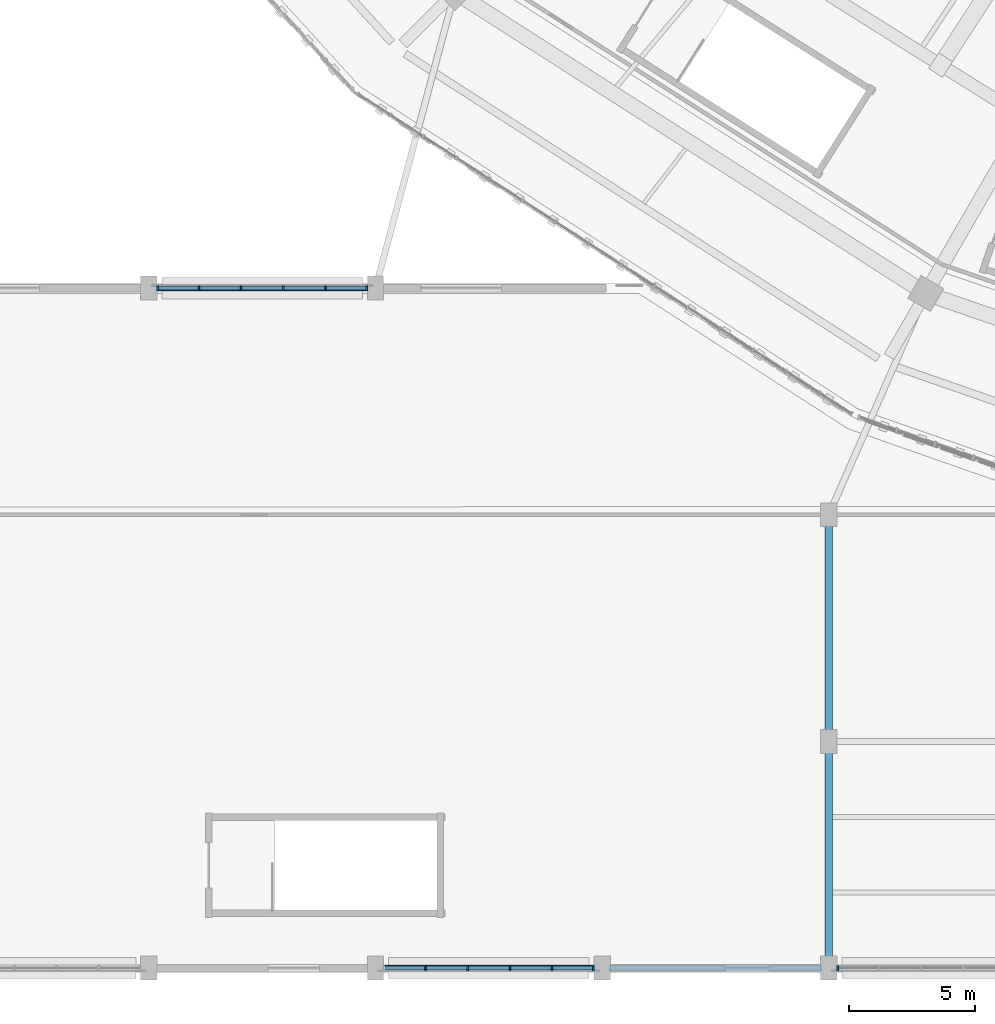
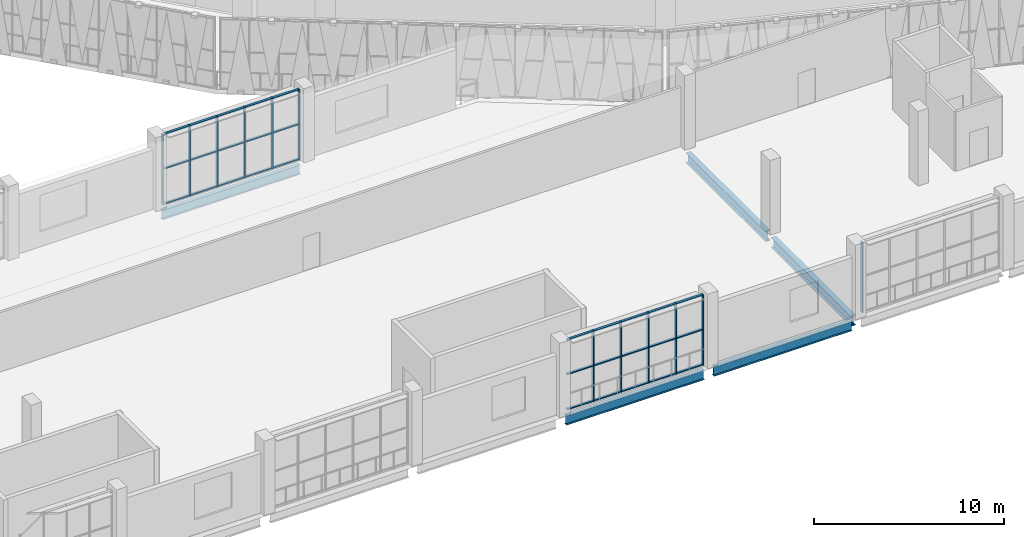
# One storey, part 5 of 152: 42 members, 5 beams, 3 elements without a shape of their own.
"""IFC4 building model written with IfcOpenShell, lengths in metres."""

from ifc_helpers import new_model, si_unit, direction, frame, origin, origin_2d, place, context, subcontext, project, spatial, rectangle, i_section, extrude, material, material_profile, profile_set, type_object, element, aggregate, save


model = new_model("IFC4")

# Units and contexts
model_context = context("Model", 3, precision=1e-05, world=origin(), true_north=direction((0.0, 1.0)))
body_context = subcontext(model_context, "Body", "Model", "MODEL_VIEW")
ifc_project = project(units=[si_unit("LENGTHUNIT", "METRE"), si_unit("AREAUNIT", "SQUARE_METRE"), si_unit("VOLUMEUNIT", "CUBIC_METRE"), si_unit("PLANEANGLEUNIT", "RADIAN"), si_unit("MASSUNIT", "GRAM", prefix="KILO")], contexts=[model_context])

# Site, building, storey
site_placement = place(None, origin())
site = spatial("IfcSite", under=ifc_project, at=site_placement, CompositionType="ELEMENT")
building_placement = place(site_placement, origin())
building = spatial("IfcBuilding", under=site, at=building_placement, Name="Zevraka Park Crest Stadium", CompositionType="ELEMENT")
storey_placement = place(building_placement, frame((0.0, 0.0, 15.0)))
storey = spatial("IfcBuildingStorey", under=building, at=storey_placement, Name="L03", CompositionType="ELEMENT", Elevation=15.0)

# Beams
ifc_material_1 = material(Name="Steel S355", Category="steel")
ifc_material_profile_1 = material_profile(ifc_material_1, i_section(OverallWidth=0.300048828125, OverallDepth=0.64990234375, WebThickness=0.01611328125, FlangeThickness=0.031005859375, at=origin_2d()), Name="HEB 650")
ifc_profile_set_1 = profile_set([ifc_material_profile_1], Name="Steel S355")
beam_type_1 = type_object("IfcBeamType", Name="BG07", PredefinedType="BEAM", material=ifc_profile_set_1)
for number, where, z_axis, x_axis, name in (
    (1, (63.0, 0.300048828125, -0.633056640625), (0.0, 1.0, 0.0), (-1.0, 0.0, 0.0), "Wing Girder BG07 L03-8/AB"),
    (2, (63.0, 9.300048828125, -0.633056640625), (0.0, 1.0, 0.0), (-1.0, 0.0, 0.0), "Wing Girder BG07 L03-8/BC"),
):
    element("IfcBeam", number, at=place(storey_placement, frame(where, z_axis=z_axis, x_axis=x_axis)), inside=storey, type_object=beam_type_1, Name=name, PredefinedType="BEAM", context=body_context, shape_type="SweptSolid", body=[
        extrude(i_section(OverallWidth=0.300048828125, OverallDepth=0.64990234375, WebThickness=0.01611328125, FlangeThickness=0.031005859375, at=origin_2d()), origin(), (0.0, 0.0, 1.0), 8.39990234375),
    ])
ifc_material_2 = material(Name="Steel S355", Category="steel")
ifc_material_profile_2 = material_profile(ifc_material_2, i_section(OverallWidth=0.22900390625, OverallDepth=0.612060546875, WebThickness=0.011962890625, FlangeThickness=0.01953125, at=origin_2d()), Name="UKB 610x229x125")
ifc_profile_set_2 = profile_set([ifc_material_profile_2], Name="Steel S355")
beam_type_2 = type_object("IfcBeamType", Name="BG09", PredefinedType="BEAM", material=ifc_profile_set_2)
for number, where, z_axis, x_axis, name in (
    (3, (36.300048828125, 27.0, -0.614013671875), (1.0, 0.0, 0.0), (0.0, 1.0, 0.0), "Wing Girder BG09 L03-56/D"),
    (4, (45.300048828125, 0.0, -0.614013671875), (1.0, 0.0, 0.0), (0.0, 1.0, 0.0), "Wing Girder BG09 L03-67/A"),
    (5, (54.300048828125, 0.0, -0.614013671875), (1.0, 0.0, 0.0), (0.0, 1.0, 0.0), "Wing Girder BG09 L03-78/A"),
):
    element("IfcBeam", number, at=place(storey_placement, frame(where, z_axis=z_axis, x_axis=x_axis)), inside=storey, type_object=beam_type_2, Name=name, PredefinedType="BEAM", context=body_context, shape_type="SweptSolid", body=[
        extrude(i_section(OverallWidth=0.22900390625, OverallDepth=0.612060546875, WebThickness=0.011962890625, FlangeThickness=0.01953125, at=origin_2d()), origin(), (0.0, 0.0, 1.0), 8.39990234375),
    ])

# Curtain wall, member
ifc_material_3 = material(Name="Anodised architectural aluminium and laminated safety glass", Category="aluminium")
curtain_wall_type_1 = type_object("IfcCurtainWallType", Name="CW30", PredefinedType="NOTDEFINED", material=ifc_material_3)
curtain_wall_1_placement = place(storey_placement, origin())
curtain_wall_1 = element("IfcCurtainWall", 6, at=curtain_wall_1_placement, inside=storey, type_object=curtain_wall_type_1, Name="Wing Curtain Wall CW30 L03-SW-S3-2", PredefinedType="NOTDEFINED")
ifc_material_4 = material(Name="Anodised architectural aluminium", Category="aluminium")
ifc_material_profile_3 = material_profile(ifc_material_4, rectangle(XDim=0.199951171875, YDim=0.070068359375, at=origin_2d()), Name="ALU MULLION 200x70")
ifc_profile_set_3 = profile_set([ifc_material_profile_3], Name="Anodised architectural aluminium")
member_type_1 = type_object("IfcMemberType", Name="CM03", PredefinedType="MULLION", material=ifc_profile_set_3)
member_1_placement = place(storey_placement, frame((63.35009765625, 0.0, 0.0), z_axis=(0.0, 0.0, 1.0), x_axis=(0.0, -1.0, 0.0)))
member_1 = element("IfcMember", 7, at=member_1_placement, type_object=member_type_1, Name="CW30 mullion 6", PredefinedType="MULLION", context=body_context, shape_type="SweptSolid", body=[
    extrude(rectangle(XDim=0.199951171875, YDim=0.070068359375, at=origin_2d()), origin(), (0.0, 0.0, 1.0), 4.5400390625),
])
aggregate(curtain_wall_1, [member_1])

# Curtain wall, members
ifc_material_5 = material(Name="Anodised architectural aluminium and laminated safety glass", Category="aluminium")
curtain_wall_type_2 = type_object("IfcCurtainWallType", Name="CW27", PredefinedType="NOTDEFINED", material=ifc_material_5)
curtain_wall_2_placement = place(storey_placement, origin())
curtain_wall_2 = element("IfcCurtainWall", 8, at=curtain_wall_2_placement, inside=storey, type_object=curtain_wall_type_2, Name="Wing Curtain Wall CW27 L03-SW-S3-4", PredefinedType="NOTDEFINED")
member_2_placement = place(storey_placement, frame((53.64990234375, 0.0, 0.0), z_axis=(0.0, 0.0, 1.0), x_axis=(0.0, -1.0, 0.0)))
member_2 = element("IfcMember", 9, at=member_2_placement, type_object=member_type_1, Name="CW27 mullion 1", PredefinedType="MULLION", context=body_context, shape_type="SweptSolid", body=[
    extrude(rectangle(XDim=0.199951171875, YDim=0.070068359375, at=origin_2d()), origin(), (0.0, 0.0, 1.0), 4.5400390625),
])
member_3_placement = place(storey_placement, frame((52.010986328125, 0.0, 0.0), z_axis=(0.0, 0.0, 1.0), x_axis=(0.0, -1.0, 0.0)))
member_3 = element("IfcMember", 10, at=member_3_placement, type_object=member_type_1, Name="CW27 mullion 2", PredefinedType="MULLION", context=body_context, shape_type="SweptSolid", body=[
    extrude(rectangle(XDim=0.199951171875, YDim=0.070068359375, at=origin_2d()), origin(), (0.0, 0.0, 1.0), 4.5400390625),
])
member_4_placement = place(storey_placement, frame((50.3369140625, 0.0, 0.0), z_axis=(0.0, 0.0, 1.0), x_axis=(0.0, -1.0, 0.0)))
member_4 = element("IfcMember", 11, at=member_4_placement, type_object=member_type_1, Name="CW27 mullion 3", PredefinedType="MULLION", context=body_context, shape_type="SweptSolid", body=[
    extrude(rectangle(XDim=0.199951171875, YDim=0.070068359375, at=origin_2d()), origin(), (0.0, 0.0, 1.0), 4.5400390625),
])
member_5_placement = place(storey_placement, frame((48.6630859375, 0.0, 0.0), z_axis=(0.0, 0.0, 1.0), x_axis=(0.0, -1.0, 0.0)))
member_5 = element("IfcMember", 12, at=member_5_placement, type_object=member_type_1, Name="CW27 mullion 4", PredefinedType="MULLION", context=body_context, shape_type="SweptSolid", body=[
    extrude(rectangle(XDim=0.199951171875, YDim=0.070068359375, at=origin_2d()), origin(), (0.0, 0.0, 1.0), 4.5400390625),
])
member_6_placement = place(storey_placement, frame((46.989013671875, 0.0, 0.0), z_axis=(0.0, 0.0, 1.0), x_axis=(0.0, -1.0, 0.0)))
member_6 = element("IfcMember", 13, at=member_6_placement, type_object=member_type_1, Name="CW27 mullion 5", PredefinedType="MULLION", context=body_context, shape_type="SweptSolid", body=[
    extrude(rectangle(XDim=0.199951171875, YDim=0.070068359375, at=origin_2d()), origin(), (0.0, 0.0, 1.0), 4.5400390625),
])

curtain_wall_3_placement = place(storey_placement, origin())
curtain_wall_3 = element("IfcCurtainWall", 14, at=curtain_wall_3_placement, inside=storey, type_object=curtain_wall_type_2, Name="Wing Curtain Wall CW27 L03-SW-N-4", PredefinedType="NOTDEFINED")
member_7_placement = place(storey_placement, frame((36.35009765625, 27.0, 0.0), z_axis=(0.0, 0.0, 1.0), x_axis=(0.0, 1.0, 0.0)))
member_7 = element("IfcMember", 15, at=member_7_placement, type_object=member_type_1, Name="CW27 mullion 1", PredefinedType="MULLION", context=body_context, shape_type="SweptSolid", body=[
    extrude(rectangle(XDim=0.199951171875, YDim=0.070068359375, at=origin_2d()), origin(), (0.0, 0.0, 1.0), 4.5400390625),
])
member_8_placement = place(storey_placement, frame((37.989013671875, 27.0, 0.0), z_axis=(0.0, 0.0, 1.0), x_axis=(0.0, 1.0, 0.0)))
member_8 = element("IfcMember", 16, at=member_8_placement, type_object=member_type_1, Name="CW27 mullion 2", PredefinedType="MULLION", context=body_context, shape_type="SweptSolid", body=[
    extrude(rectangle(XDim=0.199951171875, YDim=0.070068359375, at=origin_2d()), origin(), (0.0, 0.0, 1.0), 4.5400390625),
])
member_9_placement = place(storey_placement, frame((39.6630859375, 27.0, 0.0), z_axis=(0.0, 0.0, 1.0), x_axis=(0.0, 1.0, 0.0)))
member_9 = element("IfcMember", 17, at=member_9_placement, type_object=member_type_1, Name="CW27 mullion 3", PredefinedType="MULLION", context=body_context, shape_type="SweptSolid", body=[
    extrude(rectangle(XDim=0.199951171875, YDim=0.070068359375, at=origin_2d()), origin(), (0.0, 0.0, 1.0), 4.5400390625),
])
member_10_placement = place(storey_placement, frame((41.3369140625, 27.0, 0.0), z_axis=(0.0, 0.0, 1.0), x_axis=(0.0, 1.0, 0.0)))
member_10 = element("IfcMember", 18, at=member_10_placement, type_object=member_type_1, Name="CW27 mullion 4", PredefinedType="MULLION", context=body_context, shape_type="SweptSolid", body=[
    extrude(rectangle(XDim=0.199951171875, YDim=0.070068359375, at=origin_2d()), origin(), (0.0, 0.0, 1.0), 4.5400390625),
])
member_11_placement = place(storey_placement, frame((43.010986328125, 27.0, 0.0), z_axis=(0.0, 0.0, 1.0), x_axis=(0.0, 1.0, 0.0)))
member_11 = element("IfcMember", 19, at=member_11_placement, type_object=member_type_1, Name="CW27 mullion 5", PredefinedType="MULLION", context=body_context, shape_type="SweptSolid", body=[
    extrude(rectangle(XDim=0.199951171875, YDim=0.070068359375, at=origin_2d()), origin(), (0.0, 0.0, 1.0), 4.5400390625),
])
member_12_placement = place(storey_placement, frame((44.64990234375, 27.0, 0.0), z_axis=(0.0, 0.0, 1.0), x_axis=(0.0, 1.0, 0.0)))
member_12 = element("IfcMember", 20, at=member_12_placement, type_object=member_type_1, Name="CW27 mullion 6", PredefinedType="MULLION", context=body_context, shape_type="SweptSolid", body=[
    extrude(rectangle(XDim=0.199951171875, YDim=0.070068359375, at=origin_2d()), origin(), (0.0, 0.0, 1.0), 4.5400390625),
])

# Member
ifc_material_6 = material(Name="Anodised architectural aluminium", Category="aluminium")
ifc_material_profile_4 = material_profile(ifc_material_6, rectangle(XDim=0.14990234375, YDim=0.070068359375, at=origin_2d()), Name="ALU TRANSOM 150x70")
ifc_profile_set_4 = profile_set([ifc_material_profile_4], Name="Anodised architectural aluminium")
member_type_2 = type_object("IfcMemberType", Name="CT03", PredefinedType="USERDEFINED", material=ifc_profile_set_4)
member_13_placement = place(storey_placement, frame((53.614990234375, 0.0, 0.034912109375), z_axis=(-1.0, 0.0, 0.0), x_axis=(0.0, -1.0, 0.0)))
member_13 = element("IfcMember", 21, at=member_13_placement, type_object=member_type_2, Name="CW27 transom 1.1", ObjectType="TRANSOM", PredefinedType="USERDEFINED", context=body_context, shape_type="SweptSolid", body=[
    extrude(rectangle(XDim=0.14990234375, YDim=0.070068359375, at=origin_2d()), origin(), (0.0, 0.0, 1.0), 1.569091796875),
])

member_14_placement = place(storey_placement, frame((53.614990234375, 0.0, 2.300048828125), z_axis=(-1.0, 0.0, 0.0), x_axis=(0.0, -1.0, 0.0)))
member_14 = element("IfcMember", 22, at=member_14_placement, type_object=member_type_2, Name="CW27 transom 1.2", ObjectType="TRANSOM", PredefinedType="USERDEFINED", context=body_context, shape_type="SweptSolid", body=[
    extrude(rectangle(XDim=0.14990234375, YDim=0.070068359375, at=origin_2d()), origin(), (0.0, 0.0, 1.0), 1.569091796875),
])

member_15_placement = place(storey_placement, frame((53.614990234375, 0.0, 4.5048828125), z_axis=(-1.0, 0.0, 0.0), x_axis=(0.0, -1.0, 0.0)))
member_15 = element("IfcMember", 23, at=member_15_placement, type_object=member_type_2, Name="CW27 transom 1.3", ObjectType="TRANSOM", PredefinedType="USERDEFINED", context=body_context, shape_type="SweptSolid", body=[
    extrude(rectangle(XDim=0.14990234375, YDim=0.070068359375, at=origin_2d()), origin(), (0.0, 0.0, 1.0), 1.569091796875),
])

member_16_placement = place(storey_placement, frame((51.97607421875, 0.0, 0.034912109375), z_axis=(-1.0, 0.0, 0.0), x_axis=(0.0, -1.0, 0.0)))
member_16 = element("IfcMember", 24, at=member_16_placement, type_object=member_type_2, Name="CW27 transom 2.1", ObjectType="TRANSOM", PredefinedType="USERDEFINED", context=body_context, shape_type="SweptSolid", body=[
    extrude(rectangle(XDim=0.14990234375, YDim=0.070068359375, at=origin_2d()), origin(), (0.0, 0.0, 1.0), 1.60400390625),
])

member_17_placement = place(storey_placement, frame((51.97607421875, 0.0, 2.300048828125), z_axis=(-1.0, 0.0, 0.0), x_axis=(0.0, -1.0, 0.0)))
member_17 = element("IfcMember", 25, at=member_17_placement, type_object=member_type_2, Name="CW27 transom 2.2", ObjectType="TRANSOM", PredefinedType="USERDEFINED", context=body_context, shape_type="SweptSolid", body=[
    extrude(rectangle(XDim=0.14990234375, YDim=0.070068359375, at=origin_2d()), origin(), (0.0, 0.0, 1.0), 1.60400390625),
])

member_18_placement = place(storey_placement, frame((51.97607421875, 0.0, 4.5048828125), z_axis=(-1.0, 0.0, 0.0), x_axis=(0.0, -1.0, 0.0)))
member_18 = element("IfcMember", 26, at=member_18_placement, type_object=member_type_2, Name="CW27 transom 2.3", ObjectType="TRANSOM", PredefinedType="USERDEFINED", context=body_context, shape_type="SweptSolid", body=[
    extrude(rectangle(XDim=0.14990234375, YDim=0.070068359375, at=origin_2d()), origin(), (0.0, 0.0, 1.0), 1.60400390625),
])

member_19_placement = place(storey_placement, frame((50.302001953125, 0.0, 0.034912109375), z_axis=(-1.0, 0.0, 0.0), x_axis=(0.0, -1.0, 0.0)))
member_19 = element("IfcMember", 27, at=member_19_placement, type_object=member_type_2, Name="CW27 transom 3.1", ObjectType="TRANSOM", PredefinedType="USERDEFINED", context=body_context, shape_type="SweptSolid", body=[
    extrude(rectangle(XDim=0.14990234375, YDim=0.070068359375, at=origin_2d()), origin(), (0.0, 0.0, 1.0), 1.60400390625),
])

member_20_placement = place(storey_placement, frame((50.302001953125, 0.0, 2.300048828125), z_axis=(-1.0, 0.0, 0.0), x_axis=(0.0, -1.0, 0.0)))
member_20 = element("IfcMember", 28, at=member_20_placement, type_object=member_type_2, Name="CW27 transom 3.2", ObjectType="TRANSOM", PredefinedType="USERDEFINED", context=body_context, shape_type="SweptSolid", body=[
    extrude(rectangle(XDim=0.14990234375, YDim=0.070068359375, at=origin_2d()), origin(), (0.0, 0.0, 1.0), 1.60400390625),
])

member_21_placement = place(storey_placement, frame((50.302001953125, 0.0, 4.5048828125), z_axis=(-1.0, 0.0, 0.0), x_axis=(0.0, -1.0, 0.0)))
member_21 = element("IfcMember", 29, at=member_21_placement, type_object=member_type_2, Name="CW27 transom 3.3", ObjectType="TRANSOM", PredefinedType="USERDEFINED", context=body_context, shape_type="SweptSolid", body=[
    extrude(rectangle(XDim=0.14990234375, YDim=0.070068359375, at=origin_2d()), origin(), (0.0, 0.0, 1.0), 1.60400390625),
])

member_22_placement = place(storey_placement, frame((48.6279296875, 0.0, 0.034912109375), z_axis=(-1.0, 0.0, 0.0), x_axis=(0.0, -1.0, 0.0)))
member_22 = element("IfcMember", 30, at=member_22_placement, type_object=member_type_2, Name="CW27 transom 4.1", ObjectType="TRANSOM", PredefinedType="USERDEFINED", context=body_context, shape_type="SweptSolid", body=[
    extrude(rectangle(XDim=0.14990234375, YDim=0.070068359375, at=origin_2d()), origin(), (0.0, 0.0, 1.0), 1.60400390625),
])

member_23_placement = place(storey_placement, frame((48.6279296875, 0.0, 2.300048828125), z_axis=(-1.0, 0.0, 0.0), x_axis=(0.0, -1.0, 0.0)))
member_23 = element("IfcMember", 31, at=member_23_placement, type_object=member_type_2, Name="CW27 transom 4.2", ObjectType="TRANSOM", PredefinedType="USERDEFINED", context=body_context, shape_type="SweptSolid", body=[
    extrude(rectangle(XDim=0.14990234375, YDim=0.070068359375, at=origin_2d()), origin(), (0.0, 0.0, 1.0), 1.60400390625),
])

member_24_placement = place(storey_placement, frame((48.6279296875, 0.0, 4.5048828125), z_axis=(-1.0, 0.0, 0.0), x_axis=(0.0, -1.0, 0.0)))
member_24 = element("IfcMember", 32, at=member_24_placement, type_object=member_type_2, Name="CW27 transom 4.3", ObjectType="TRANSOM", PredefinedType="USERDEFINED", context=body_context, shape_type="SweptSolid", body=[
    extrude(rectangle(XDim=0.14990234375, YDim=0.070068359375, at=origin_2d()), origin(), (0.0, 0.0, 1.0), 1.60400390625),
])

member_25_placement = place(storey_placement, frame((46.9541015625, 0.0, 0.034912109375), z_axis=(-1.0, 0.0, 0.0), x_axis=(0.0, -1.0, 0.0)))
member_25 = element("IfcMember", 33, at=member_25_placement, type_object=member_type_2, Name="CW27 transom 5.1", ObjectType="TRANSOM", PredefinedType="USERDEFINED", context=body_context, shape_type="SweptSolid", body=[
    extrude(rectangle(XDim=0.14990234375, YDim=0.070068359375, at=origin_2d()), origin(), (0.0, 0.0, 1.0), 1.569091796875),
])

member_26_placement = place(storey_placement, frame((46.9541015625, 0.0, 2.300048828125), z_axis=(-1.0, 0.0, 0.0), x_axis=(0.0, -1.0, 0.0)))
member_26 = element("IfcMember", 34, at=member_26_placement, type_object=member_type_2, Name="CW27 transom 5.2", ObjectType="TRANSOM", PredefinedType="USERDEFINED", context=body_context, shape_type="SweptSolid", body=[
    extrude(rectangle(XDim=0.14990234375, YDim=0.070068359375, at=origin_2d()), origin(), (0.0, 0.0, 1.0), 1.569091796875),
])

member_27_placement = place(storey_placement, frame((46.9541015625, 0.0, 4.5048828125), z_axis=(-1.0, 0.0, 0.0), x_axis=(0.0, -1.0, 0.0)))
member_27 = element("IfcMember", 35, at=member_27_placement, type_object=member_type_2, Name="CW27 transom 5.3", ObjectType="TRANSOM", PredefinedType="USERDEFINED", context=body_context, shape_type="SweptSolid", body=[
    extrude(rectangle(XDim=0.14990234375, YDim=0.070068359375, at=origin_2d()), origin(), (0.0, 0.0, 1.0), 1.569091796875),
])

aggregate(curtain_wall_2, [member_2, member_3, member_4, member_5, member_6, member_13, member_14, member_15, member_16, member_17, member_18, member_19, member_20, member_21, member_22, member_23, member_24, member_25, member_26, member_27])

member_28_placement = place(storey_placement, frame((36.385009765625, 27.0, 0.034912109375), z_axis=(1.0, 0.0, 0.0), x_axis=(0.0, 1.0, 0.0)))
member_28 = element("IfcMember", 36, at=member_28_placement, type_object=member_type_2, Name="CW27 transom 1.1", ObjectType="TRANSOM", PredefinedType="USERDEFINED", context=body_context, shape_type="SweptSolid", body=[
    extrude(rectangle(XDim=0.14990234375, YDim=0.070068359375, at=origin_2d()), origin(), (0.0, 0.0, 1.0), 1.569091796875),
])

member_29_placement = place(storey_placement, frame((36.385009765625, 27.0, 2.300048828125), z_axis=(1.0, 0.0, 0.0), x_axis=(0.0, 1.0, 0.0)))
member_29 = element("IfcMember", 37, at=member_29_placement, type_object=member_type_2, Name="CW27 transom 1.2", ObjectType="TRANSOM", PredefinedType="USERDEFINED", context=body_context, shape_type="SweptSolid", body=[
    extrude(rectangle(XDim=0.14990234375, YDim=0.070068359375, at=origin_2d()), origin(), (0.0, 0.0, 1.0), 1.569091796875),
])

member_30_placement = place(storey_placement, frame((36.385009765625, 27.0, 4.5048828125), z_axis=(1.0, 0.0, 0.0), x_axis=(0.0, 1.0, 0.0)))
member_30 = element("IfcMember", 38, at=member_30_placement, type_object=member_type_2, Name="CW27 transom 1.3", ObjectType="TRANSOM", PredefinedType="USERDEFINED", context=body_context, shape_type="SweptSolid", body=[
    extrude(rectangle(XDim=0.14990234375, YDim=0.070068359375, at=origin_2d()), origin(), (0.0, 0.0, 1.0), 1.569091796875),
])

member_31_placement = place(storey_placement, frame((38.02392578125, 27.0, 0.034912109375), z_axis=(1.0, 0.0, 0.0), x_axis=(0.0, 1.0, 0.0)))
member_31 = element("IfcMember", 39, at=member_31_placement, type_object=member_type_2, Name="CW27 transom 2.1", ObjectType="TRANSOM", PredefinedType="USERDEFINED", context=body_context, shape_type="SweptSolid", body=[
    extrude(rectangle(XDim=0.14990234375, YDim=0.070068359375, at=origin_2d()), origin(), (0.0, 0.0, 1.0), 1.60400390625),
])

member_32_placement = place(storey_placement, frame((38.02392578125, 27.0, 2.300048828125), z_axis=(1.0, 0.0, 0.0), x_axis=(0.0, 1.0, 0.0)))
member_32 = element("IfcMember", 40, at=member_32_placement, type_object=member_type_2, Name="CW27 transom 2.2", ObjectType="TRANSOM", PredefinedType="USERDEFINED", context=body_context, shape_type="SweptSolid", body=[
    extrude(rectangle(XDim=0.14990234375, YDim=0.070068359375, at=origin_2d()), origin(), (0.0, 0.0, 1.0), 1.60400390625),
])

member_33_placement = place(storey_placement, frame((38.02392578125, 27.0, 4.5048828125), z_axis=(1.0, 0.0, 0.0), x_axis=(0.0, 1.0, 0.0)))
member_33 = element("IfcMember", 41, at=member_33_placement, type_object=member_type_2, Name="CW27 transom 2.3", ObjectType="TRANSOM", PredefinedType="USERDEFINED", context=body_context, shape_type="SweptSolid", body=[
    extrude(rectangle(XDim=0.14990234375, YDim=0.070068359375, at=origin_2d()), origin(), (0.0, 0.0, 1.0), 1.60400390625),
])

member_34_placement = place(storey_placement, frame((39.697998046875, 27.0, 0.034912109375), z_axis=(1.0, 0.0, 0.0), x_axis=(0.0, 1.0, 0.0)))
member_34 = element("IfcMember", 42, at=member_34_placement, type_object=member_type_2, Name="CW27 transom 3.1", ObjectType="TRANSOM", PredefinedType="USERDEFINED", context=body_context, shape_type="SweptSolid", body=[
    extrude(rectangle(XDim=0.14990234375, YDim=0.070068359375, at=origin_2d()), origin(), (0.0, 0.0, 1.0), 1.60400390625),
])

member_35_placement = place(storey_placement, frame((39.697998046875, 27.0, 2.300048828125), z_axis=(1.0, 0.0, 0.0), x_axis=(0.0, 1.0, 0.0)))
member_35 = element("IfcMember", 43, at=member_35_placement, type_object=member_type_2, Name="CW27 transom 3.2", ObjectType="TRANSOM", PredefinedType="USERDEFINED", context=body_context, shape_type="SweptSolid", body=[
    extrude(rectangle(XDim=0.14990234375, YDim=0.070068359375, at=origin_2d()), origin(), (0.0, 0.0, 1.0), 1.60400390625),
])

member_36_placement = place(storey_placement, frame((39.697998046875, 27.0, 4.5048828125), z_axis=(1.0, 0.0, 0.0), x_axis=(0.0, 1.0, 0.0)))
member_36 = element("IfcMember", 44, at=member_36_placement, type_object=member_type_2, Name="CW27 transom 3.3", ObjectType="TRANSOM", PredefinedType="USERDEFINED", context=body_context, shape_type="SweptSolid", body=[
    extrude(rectangle(XDim=0.14990234375, YDim=0.070068359375, at=origin_2d()), origin(), (0.0, 0.0, 1.0), 1.60400390625),
])

member_37_placement = place(storey_placement, frame((41.3720703125, 27.0, 0.034912109375), z_axis=(1.0, 0.0, 0.0), x_axis=(0.0, 1.0, 0.0)))
member_37 = element("IfcMember", 45, at=member_37_placement, type_object=member_type_2, Name="CW27 transom 4.1", ObjectType="TRANSOM", PredefinedType="USERDEFINED", context=body_context, shape_type="SweptSolid", body=[
    extrude(rectangle(XDim=0.14990234375, YDim=0.070068359375, at=origin_2d()), origin(), (0.0, 0.0, 1.0), 1.60400390625),
])

member_38_placement = place(storey_placement, frame((41.3720703125, 27.0, 2.300048828125), z_axis=(1.0, 0.0, 0.0), x_axis=(0.0, 1.0, 0.0)))
member_38 = element("IfcMember", 46, at=member_38_placement, type_object=member_type_2, Name="CW27 transom 4.2", ObjectType="TRANSOM", PredefinedType="USERDEFINED", context=body_context, shape_type="SweptSolid", body=[
    extrude(rectangle(XDim=0.14990234375, YDim=0.070068359375, at=origin_2d()), origin(), (0.0, 0.0, 1.0), 1.60400390625),
])

member_39_placement = place(storey_placement, frame((41.3720703125, 27.0, 4.5048828125), z_axis=(1.0, 0.0, 0.0), x_axis=(0.0, 1.0, 0.0)))
member_39 = element("IfcMember", 47, at=member_39_placement, type_object=member_type_2, Name="CW27 transom 4.3", ObjectType="TRANSOM", PredefinedType="USERDEFINED", context=body_context, shape_type="SweptSolid", body=[
    extrude(rectangle(XDim=0.14990234375, YDim=0.070068359375, at=origin_2d()), origin(), (0.0, 0.0, 1.0), 1.60400390625),
])

member_40_placement = place(storey_placement, frame((43.0458984375, 27.0, 0.034912109375), z_axis=(1.0, 0.0, 0.0), x_axis=(0.0, 1.0, 0.0)))
member_40 = element("IfcMember", 48, at=member_40_placement, type_object=member_type_2, Name="CW27 transom 5.1", ObjectType="TRANSOM", PredefinedType="USERDEFINED", context=body_context, shape_type="SweptSolid", body=[
    extrude(rectangle(XDim=0.14990234375, YDim=0.070068359375, at=origin_2d()), origin(), (0.0, 0.0, 1.0), 1.569091796875),
])

member_41_placement = place(storey_placement, frame((43.0458984375, 27.0, 2.300048828125), z_axis=(1.0, 0.0, 0.0), x_axis=(0.0, 1.0, 0.0)))
member_41 = element("IfcMember", 49, at=member_41_placement, type_object=member_type_2, Name="CW27 transom 5.2", ObjectType="TRANSOM", PredefinedType="USERDEFINED", context=body_context, shape_type="SweptSolid", body=[
    extrude(rectangle(XDim=0.14990234375, YDim=0.070068359375, at=origin_2d()), origin(), (0.0, 0.0, 1.0), 1.569091796875),
])

member_42_placement = place(storey_placement, frame((43.0458984375, 27.0, 4.5048828125), z_axis=(1.0, 0.0, 0.0), x_axis=(0.0, 1.0, 0.0)))
member_42 = element("IfcMember", 50, at=member_42_placement, type_object=member_type_2, Name="CW27 transom 5.3", ObjectType="TRANSOM", PredefinedType="USERDEFINED", context=body_context, shape_type="SweptSolid", body=[
    extrude(rectangle(XDim=0.14990234375, YDim=0.070068359375, at=origin_2d()), origin(), (0.0, 0.0, 1.0), 1.569091796875),
])

aggregate(curtain_wall_3, [member_7, member_8, member_9, member_10, member_11, member_12, member_28, member_29, member_30, member_31, member_32, member_33, member_34, member_35, member_36, member_37, member_38, member_39, member_40, member_41, member_42])

save(model, "model.ifc")
